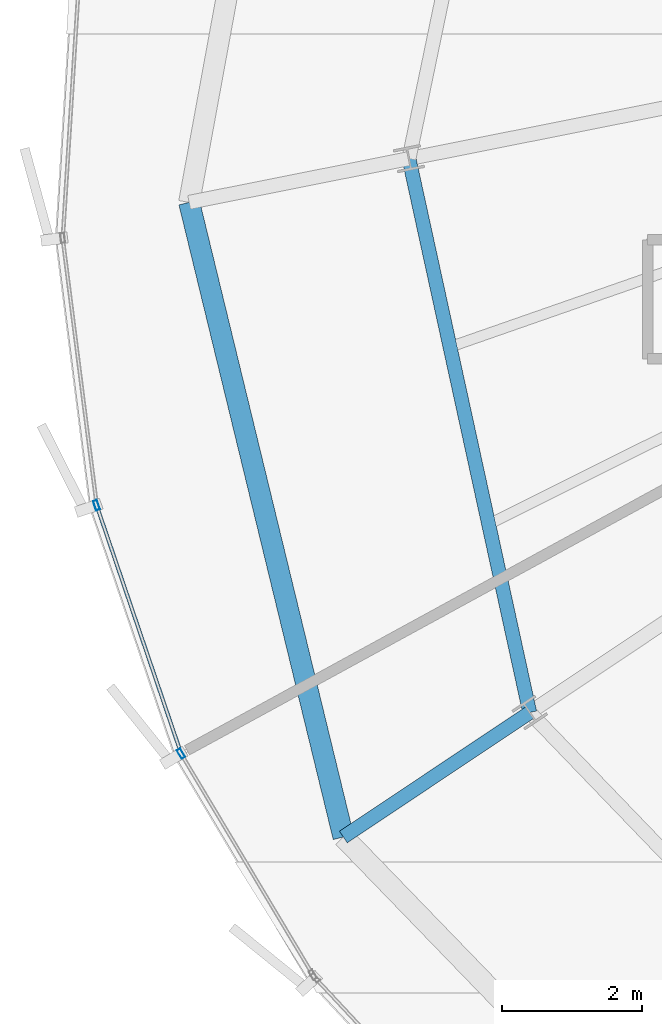
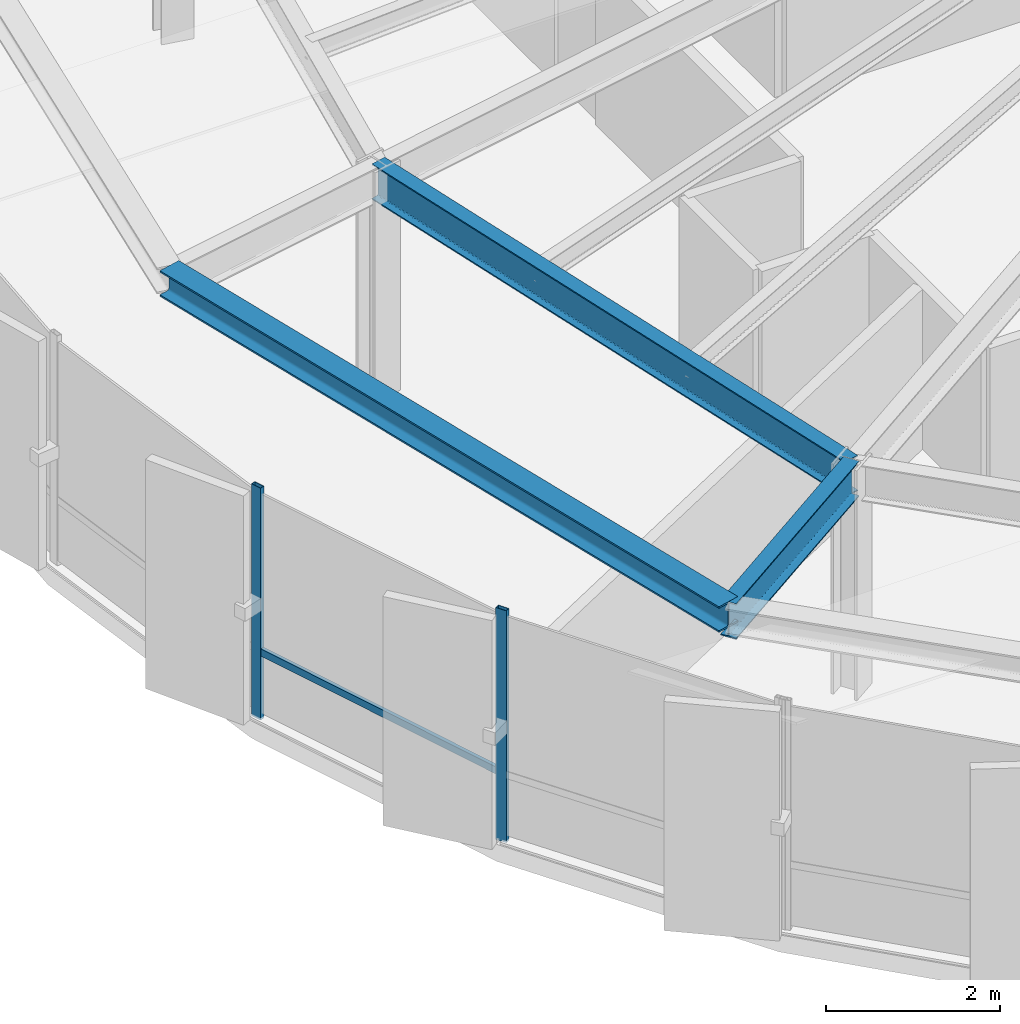
# One storey, part 4 of 34: 3 beams, 3 members, 1 element without a shape of its own.
"""IFC4 building model written with IfcOpenShell, lengths in metres."""

from ifc_helpers import new_model, si_unit, direction, frame, origin, origin_2d, place, context, subcontext, project, spatial, hollow_rectangle, i_section, extrude, source, transform, mapped, material, layer, layer_set, material_profile, profile_set, type_object, element, aggregate, save


model = new_model("IFC4")

# Units and contexts
model_context = context("Model", 3, precision=1e-05, world=origin(), true_north=direction((0.0, 1.0)))
body_context = subcontext(model_context, "Body", "Model", "MODEL_VIEW")
ifc_project = project(units=[si_unit("LENGTHUNIT", "METRE"), si_unit("AREAUNIT", "SQUARE_METRE"), si_unit("VOLUMEUNIT", "CUBIC_METRE"), si_unit("PLANEANGLEUNIT", "RADIAN"), si_unit("MASSUNIT", "GRAM", prefix="KILO"), si_unit("THERMODYNAMICTEMPERATUREUNIT", "KELVIN")], contexts=[model_context])

# Site, building, storey
site_placement = place(None, origin())
site = spatial("IfcSite", under=ifc_project, at=site_placement, CompositionType="ELEMENT")
building_placement = place(site_placement, origin())
building = spatial("IfcBuilding", under=site, at=building_placement, Name="Kethvar Cultural Tower", CompositionType="ELEMENT")
storey_placement = place(building_placement, frame((0.0, 0.0, 183.39990234375)))
storey = spatial("IfcBuildingStorey", under=building, at=storey_placement, Name="L47", CompositionType="ELEMENT", Elevation=183.39990234375)

# Beams
ifc_material_1 = material(Name="Steel S355J2", Category="steel")
ifc_material_profile_1 = material_profile(ifc_material_1, i_section(OverallWidth=0.199951171875, OverallDepth=0.5, WebThickness=0.01025390625, FlangeThickness=0.01611328125, FilletRadius=0.02099609375, at=origin_2d()), Name="Steel S355J2 — IPE500")
ifc_profile_set_1 = profile_set([ifc_material_profile_1], Name="Steel S355J2 — IPE500")
beam_type_1 = type_object("IfcBeamType", Name="BM-IPE500", PredefinedType="BEAM", material=ifc_profile_set_1)
shared_shape_1 = source(origin(), body_context, "Body", "SweptSolid", [
    extrude(i_section(OverallWidth=0.199951171875, OverallDepth=0.5, WebThickness=0.01025390625, FlangeThickness=0.01611328125, FilletRadius=0.02099609375, at=origin_2d()), origin(), (0.0, 0.0, 1.0), 3.199951171875),
])
beam_1_placement = place(storey_placement, frame((29.217529296875, 16.0517578125, 3.008056640625), z_axis=(-0.831462943996, -0.555580212716, 0.0), x_axis=(0.555580212716, -0.831462943996, 0.0)))
element("IfcBeam", 1, at=beam_1_placement, inside=storey, type_object=beam_type_1, Name="L47 Perimeter Cantilever Beam RC-10", PredefinedType="BEAM", context=body_context, shape_type="MappedRepresentation", body=[
    mapped(shared_shape_1, transform((0.0, 0.0, 0.0), scale=1.0)),
])
shared_shape_2 = source(origin(), body_context, "Body", "SweptSolid", [
    extrude(i_section(OverallWidth=0.199951171875, OverallDepth=0.5, WebThickness=0.01025390625, FlangeThickness=0.01611328125, FilletRadius=0.02099609375, at=origin_2d()), origin(), (0.0, 0.0, 1.0), 8.09375),
])
beam_2_placement = place(storey_placement, frame((27.492919921875, 23.959716796875, 3.008056640625), z_axis=(0.213077030298, -0.977035403227, 0.0), x_axis=(0.977035403227, 0.213077030298, 0.0)))
element("IfcBeam", 2, at=beam_2_placement, inside=storey, type_object=beam_type_1, Name="L47 Column Ring Tie Beam CR-09", PredefinedType="BEAM", context=body_context, shape_type="MappedRepresentation", body=[
    mapped(shared_shape_2, transform((0.0, 0.0, 0.0), scale=1.0)),
])
ifc_material_profile_2 = material_profile(ifc_material_1, i_section(OverallWidth=0.300048828125, OverallDepth=0.360107421875, WebThickness=0.012451171875, FlangeThickness=0.0224609375, FilletRadius=0.027099609375, at=origin_2d()), Name="Steel S355J2 — HEB360")
ifc_profile_set_2 = profile_set([ifc_material_profile_2], Name="Steel S355J2 — HEB360")
beam_type_2 = type_object("IfcBeamType", Name="BM-SP360", PredefinedType="SPANDREL", material=ifc_profile_set_2)
shared_shape_3 = source(origin(), body_context, "Body", "SweptSolid", [
    extrude(i_section(OverallWidth=0.300048828125, OverallDepth=0.360107421875, WebThickness=0.012451171875, FlangeThickness=0.0224609375, FilletRadius=0.027099609375, at=origin_2d()), origin(), (0.0, 0.0, 1.0), 9.3251953125),
])
beam_3_placement = place(storey_placement, frame((24.3544921875, 23.335205078125, 3.078125), z_axis=(0.236179213868, -0.97170951366, 0.0), x_axis=(0.97170951366, 0.236179213868, 0.0)))
element("IfcBeam", 3, at=beam_3_placement, inside=storey, type_object=beam_type_2, Name="L47 Perimeter Spandrel Beam SP-09", PredefinedType="SPANDREL", context=body_context, shape_type="MappedRepresentation", body=[
    mapped(shared_shape_3, transform((0.0, 0.0, 0.0), scale=1.0)),
])

# Curtain wall, members
ifc_material_2 = material(Name="Aluminium 6063-T6", Category="aluminium")
ifc_layer = layer(ifc_material_2, 0.179931640625, Name="Aluminium 6063-T6", Category="aluminium")
ifc_layer_set = layer_set([ifc_layer], Name="Aluminium 6063-T6 (180 mm)")
curtain_wall_type = type_object("IfcCurtainWallType", Name="CW-SYS-04-Z34", PredefinedType="NOTDEFINED", material=ifc_layer_set)
curtain_wall_placement = place(storey_placement, origin())
curtain_wall = element("IfcCurtainWall", 4, at=curtain_wall_placement, inside=storey, type_object=curtain_wall_type, Name="L47 Curtain Wall Run 03", PredefinedType="NOTDEFINED")
ifc_material_profile_3 = material_profile(ifc_material_2, hollow_rectangle(XDim=0.06005859375, YDim=0.139892578125, WallThickness=0.0048828125, at=origin_2d()), Name="Aluminium 6063-T6 — RHS140x60x5")
ifc_profile_set_3 = profile_set([ifc_material_profile_3], Name="Aluminium 6063-T6 — RHS140x60x5")
member_type_1 = type_object("IfcMemberType", Name="CW-SYS-04-Z34-MUL", PredefinedType="MULLION", material=ifc_profile_set_3)
shared_shape_4 = source(origin(), body_context, "Body", "SweptSolid", [
    extrude(hollow_rectangle(XDim=0.06005859375, YDim=0.139892578125, WallThickness=0.0048828125, at=origin_2d()), origin(), (0.0, 0.0, 1.0), 3.260009765625),
])
member_1_placement = place(storey_placement, frame((23.032958984375, 19.01171875, 0.0), z_axis=(0.0, 0.0, 1.0), x_axis=(0.946649260116, 0.322265695231, 0.0)))
member_1 = element("IfcMember", 5, at=member_1_placement, type_object=member_type_1, Name="CW-L47-R03 Mullion 5", PredefinedType="MULLION", context=body_context, shape_type="MappedRepresentation", body=[
    mapped(shared_shape_4, transform((0.0, 0.0, 0.0), scale=1.0)),
])
member_2_placement = place(storey_placement, frame((24.23779296875, 15.465087890625, 0.0), z_axis=(0.0, 0.0, 1.0), x_axis=(0.858879454829, 0.512177783658, 0.0)))
member_2 = element("IfcMember", 6, at=member_2_placement, type_object=member_type_1, Name="CW-L47-R03 Mullion 6", PredefinedType="MULLION", context=body_context, shape_type="MappedRepresentation", body=[
    mapped(shared_shape_4, transform((0.0, 0.0, 0.0), scale=1.0)),
])
ifc_material_profile_4 = material_profile(ifc_material_2, hollow_rectangle(XDim=0.050048828125, YDim=0.10009765625, WallThickness=0.00390625, at=origin_2d()), Name="Aluminium 6063-T6 — RHS100x50x4")
ifc_profile_set_4 = profile_set([ifc_material_profile_4], Name="Aluminium 6063-T6 — RHS100x50x4")
member_type_2 = type_object("IfcMemberType", Name="CW-SYS-04-Z34-TRN", PredefinedType="USERDEFINED", material=ifc_profile_set_4)
shared_shape_5 = source(origin(), body_context, "Body", "SweptSolid", [
    extrude(hollow_rectangle(XDim=0.050048828125, YDim=0.10009765625, WallThickness=0.00390625, at=origin_2d()), origin(), (0.0, 0.0, 1.0), 3.68212890625),
])
member_3_placement = place(storey_placement, frame((23.047119140625, 18.970947265625, 0.9501953125), z_axis=(0.322228400574, -0.946661955432, 0.0), x_axis=(0.946661955432, 0.322228400574, 0.0)))
member_3 = element("IfcMember", 7, at=member_3_placement, type_object=member_type_2, Name="CW-L47-R03 Transom 5", ObjectType="TRANSOM", PredefinedType="USERDEFINED", context=body_context, shape_type="MappedRepresentation", body=[
    mapped(shared_shape_5, transform((0.0, 0.0, 0.0), scale=1.0)),
])
aggregate(curtain_wall, [member_1, member_2, member_3])

save(model, "model.ifc")
